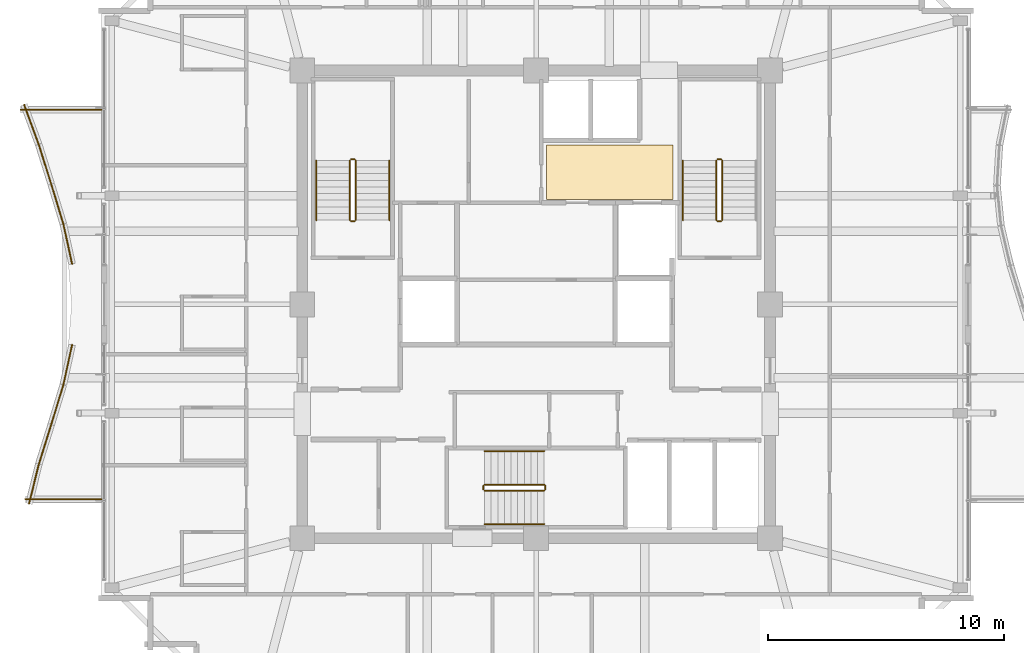
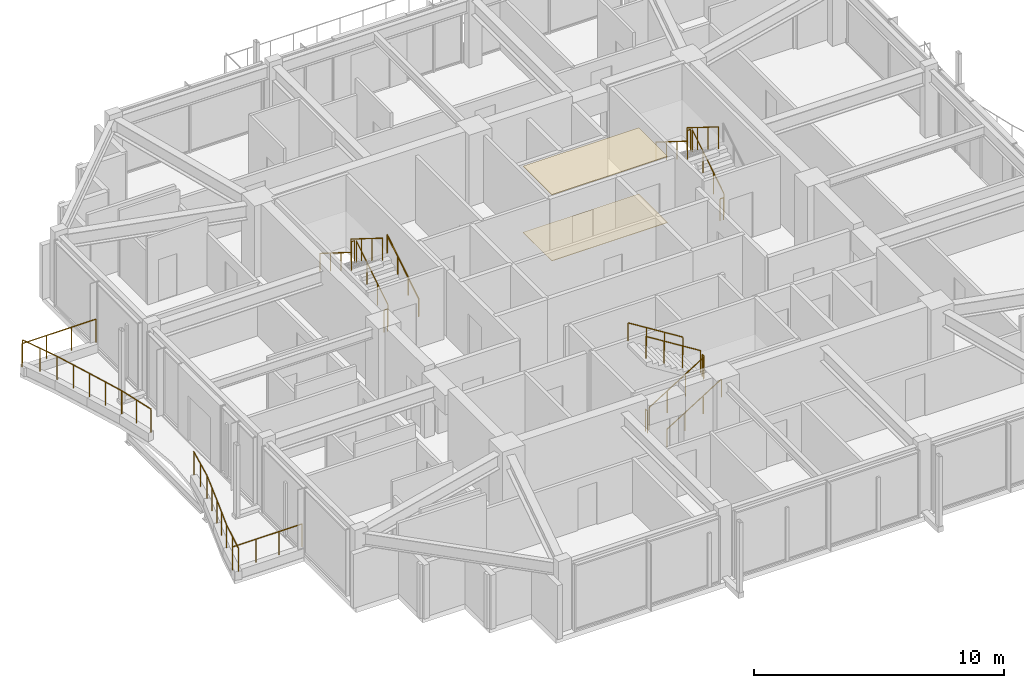
# One storey, part 30 of 31: 27 railings, 2 coverings.
"""IFC4 building model written with IfcOpenShell, lengths in metres."""

from ifc_helpers import new_model, si_unit, direction, frame, origin, origin_2d, place, context, subcontext, project, spatial, polyline, circle, outline, extrude, material, layer, layer_set, type_object, element, save


model = new_model("IFC4")

# Units and contexts
model_context = context("Model", 3, precision=1e-05, world=origin(), true_north=direction((0.0, 1.0)))
body_context = subcontext(model_context, "Body", "Model", "MODEL_VIEW")
ifc_project = project(units=[si_unit("LENGTHUNIT", "METRE"), si_unit("AREAUNIT", "SQUARE_METRE"), si_unit("VOLUMEUNIT", "CUBIC_METRE"), si_unit("PLANEANGLEUNIT", "RADIAN"), si_unit("MASSUNIT", "GRAM", prefix="KILO")], contexts=[model_context])

# Site, building, storey
site_placement = place(None, origin())
site = spatial("IfcSite", under=ifc_project, at=site_placement, CompositionType="ELEMENT")
building_placement = place(site_placement, origin())
building = spatial("IfcBuilding", under=site, at=building_placement, Name="Kolvaren Belvedere", CompositionType="ELEMENT")
storey_placement = place(building_placement, frame((0.0, 0.0, 251.39990234375)))
storey = spatial("IfcBuildingStorey", under=building, at=storey_placement, Name="L73", CompositionType="ELEMENT", Elevation=251.39990234375)

# Coverings
ifc_material_1 = material(Name="Acoustic perforated gypsum board", Category="gypsum")
ifc_layer_1 = layer(ifc_material_1, 0.02490234375)
ifc_layer_set_1 = layer_set([ifc_layer_1], Name="Acoustic perforated gypsum board")
covering_type_1 = type_object("IfcCoveringType", Name="COV-CEIL-GYP", PredefinedType="CEILING", material=ifc_layer_set_1)
covering_1_placement = place(storey_placement, frame((0.0, 0.0, 3.22509765625)))
element("IfcCovering", 1, at=covering_1_placement, inside=storey, type_object=covering_type_1, Name="L73 Lift Lobby Acoustic Baffle Ceiling", PredefinedType="CEILING", context=body_context, shape_type="SweptSolid", body=[
    extrude(outline(polyline([(0.449951171875, 4.449951171875), (5.800048828125, 4.449951171875), (5.800048828125, 6.75), (0.449951171875, 6.75), (0.449951171875, 4.449951171875)])), origin(), (0.0, 0.0, 1.0), 0.02490234375),
])
ifc_material_2 = material(Name="Engineered Pacific white oak", Category="timber")
ifc_layer_2 = layer(ifc_material_2, 0.02001953125)
ifc_layer_set_2 = layer_set([ifc_layer_2], Name="Engineered Pacific white oak")
covering_type_2 = type_object("IfcCoveringType", Name="COV-FLR-OAK", PredefinedType="FLOORING", material=ifc_layer_set_2)
covering_2_placement = place(storey_placement, origin())
element("IfcCovering", 2, at=covering_2_placement, inside=storey, type_object=covering_type_2, Name="L73 Lift Lobby Finish Flooring", PredefinedType="FLOORING", context=body_context, shape_type="SweptSolid", body=[
    extrude(outline(polyline([(0.449951171875, 4.449951171875), (5.800048828125, 4.449951171875), (5.800048828125, 6.75), (0.449951171875, 6.75), (0.449951171875, 4.449951171875)])), origin(), (0.0, 0.0, 1.0), 0.02001953125),
])

# Railings
ifc_material_3 = material(Name="Anodised pale-metal aluminium & laminated glass guard", Category="aluminium")
railing_type_1 = type_object("IfcRailingType", Name="RL-GUARD-1150", PredefinedType="GUARDRAIL", material=ifc_material_3)
railing_1_placement = place(storey_placement, frame((-21.669921875, 8.455322265625, 0.35009765625)))
element("IfcRailing", 3, at=railing_1_placement, inside=storey, type_object=railing_type_1, Name="L73 Exterior Deck Safety Guard BAL-W-1", PredefinedType="GUARDRAIL", context=body_context, shape_type="SweptSolid", body=[
    extrude(circle(Radius=0.02392578125, at=origin_2d()), frame((0.0, 0.0, 1.1259765625), z_axis=(0.346292864983, -0.938126458246, 0.0), x_axis=(0.938126458246, 0.346292864983, 0.0)), (0.0, 0.0, 1.0), 1.790771484375),
    extrude(circle(Radius=0.02099609375, at=origin_2d()), origin(), (0.0, 0.0, 1.0), 1.101806640625),
    extrude(circle(Radius=0.02099609375, at=origin_2d()), frame((0.31005859375, -0.83984375, 0.0)), (0.0, 0.0, 1.0), 1.101806640625),
    extrude(circle(Radius=0.02099609375, at=origin_2d()), frame((0.6201171875, -1.679931640625, 0.0)), (0.0, 0.0, 1.0), 1.101806640625),
])
railing_2_placement = place(storey_placement, frame((-21.047119140625, 6.767822265625, 0.35009765625)))
element("IfcRailing", 4, at=railing_2_placement, inside=storey, type_object=railing_type_1, Name="L73 Exterior Deck Safety Guard BAL-W-2", PredefinedType="GUARDRAIL", context=body_context, shape_type="SweptSolid", body=[
    extrude(circle(Radius=0.02392578125, at=origin_2d()), frame((0.0, 0.0, 1.1259765625), z_axis=(0.299624691176, -0.954057149461, 0.0), x_axis=(0.954057149461, 0.299624691176, 0.0)), (0.0, 0.0, 1.0), 1.7607421875),
    extrude(circle(Radius=0.02099609375, at=origin_2d()), origin(), (0.0, 0.0, 1.0), 1.101806640625),
    extrude(circle(Radius=0.02099609375, at=origin_2d()), frame((0.263671875, -0.83984375, 0.0)), (0.0, 0.0, 1.0), 1.101806640625),
    extrude(circle(Radius=0.02099609375, at=origin_2d()), frame((0.527587890625, -1.679931640625, 0.0)), (0.0, 0.0, 1.0), 1.101806640625),
])
railing_3_placement = place(storey_placement, frame((-20.51904296875, 5.086669921875, 0.35009765625)))
element("IfcRailing", 5, at=railing_3_placement, inside=storey, type_object=railing_type_1, Name="L73 Exterior Deck Safety Guard BAL-W-3", PredefinedType="GUARDRAIL", context=body_context, shape_type="SweptSolid", body=[
    extrude(circle(Radius=0.02392578125, at=origin_2d()), frame((0.0, 0.0, 1.1259765625), z_axis=(0.290840734999, -0.956771481005, 0.0), x_axis=(0.956771481005, 0.290840734999, 0.0)), (0.0, 0.0, 1.0), 1.756103515625),
    extrude(circle(Radius=0.02099609375, at=origin_2d()), origin(), (0.0, 0.0, 1.0), 1.101806640625),
    extrude(circle(Radius=0.02099609375, at=origin_2d()), frame((0.25537109375, -0.840087890625, 0.0)), (0.0, 0.0, 1.0), 1.101806640625),
    extrude(circle(Radius=0.02099609375, at=origin_2d()), frame((0.5107421875, -1.68017578125, 0.0)), (0.0, 0.0, 1.0), 1.101806640625),
])
railing_4_placement = place(storey_placement, frame((-20.0048828125, 3.394287109375, 0.35009765625)))
element("IfcRailing", 6, at=railing_4_placement, inside=storey, type_object=railing_type_1, Name="L73 Exterior Deck Safety Guard BAL-W-4", PredefinedType="GUARDRAIL", context=body_context, shape_type="SweptSolid", body=[
    extrude(circle(Radius=0.02392578125, at=origin_2d()), frame((0.0, 0.0, 1.1259765625), z_axis=(0.213773077423, -0.976883345835, 0.0), x_axis=(0.976883345835, 0.213773077423, 0.0)), (0.0, 0.0, 1.0), 1.719970703125),
    extrude(circle(Radius=0.02099609375, at=origin_2d()), origin(), (0.0, 0.0, 1.0), 1.101806640625),
    extrude(circle(Radius=0.02099609375, at=origin_2d()), frame((0.183837890625, -0.840087890625, 0.0)), (0.0, 0.0, 1.0), 1.101806640625),
    extrude(circle(Radius=0.02099609375, at=origin_2d()), frame((0.36767578125, -1.68017578125, 0.0)), (0.0, 0.0, 1.0), 1.101806640625),
])
railing_5_placement = place(storey_placement, frame((-19.63720703125, -1.714111328125, 0.35009765625)))
element("IfcRailing", 7, at=railing_5_placement, inside=storey, type_object=railing_type_1, Name="L73 Exterior Deck Safety Guard BAL-W-7", PredefinedType="GUARDRAIL", context=body_context, shape_type="SweptSolid", body=[
    extrude(circle(Radius=0.02392578125, at=origin_2d()), frame((0.0, 0.0, 1.1259765625), z_axis=(-0.213773077423, -0.976883345835, 0.0), x_axis=(0.976883345835, -0.213773077423, 0.0)), (0.0, 0.0, 1.0), 1.719970703125),
    extrude(circle(Radius=0.02099609375, at=origin_2d()), origin(), (0.0, 0.0, 1.0), 1.101806640625),
    extrude(circle(Radius=0.02099609375, at=origin_2d()), frame((-0.183837890625, -0.840087890625, 0.0)), (0.0, 0.0, 1.0), 1.101806640625),
    extrude(circle(Radius=0.02099609375, at=origin_2d()), frame((-0.36767578125, -1.68017578125, 0.0)), (0.0, 0.0, 1.0), 1.101806640625),
])
railing_6_placement = place(storey_placement, frame((-20.00830078125, -3.406494140625, 0.35009765625)))
element("IfcRailing", 8, at=railing_6_placement, inside=storey, type_object=railing_type_1, Name="L73 Exterior Deck Safety Guard BAL-W-8", PredefinedType="GUARDRAIL", context=body_context, shape_type="SweptSolid", body=[
    extrude(circle(Radius=0.02392578125, at=origin_2d()), frame((0.0, 0.0, 1.1259765625), z_axis=(-0.290840734999, -0.956771481005, 0.0), x_axis=(0.956771481005, -0.290840734999, 0.0)), (0.0, 0.0, 1.0), 1.756103515625),
    extrude(circle(Radius=0.02099609375, at=origin_2d()), origin(), (0.0, 0.0, 1.0), 1.101806640625),
    extrude(circle(Radius=0.02099609375, at=origin_2d()), frame((-0.25537109375, -0.840087890625, 0.0)), (0.0, 0.0, 1.0), 1.101806640625),
    extrude(circle(Radius=0.02099609375, at=origin_2d()), frame((-0.5107421875, -1.68017578125, 0.0)), (0.0, 0.0, 1.0), 1.101806640625),
])
railing_7_placement = place(storey_placement, frame((-20.51953125, -5.087890625, 0.35009765625)))
element("IfcRailing", 9, at=railing_7_placement, inside=storey, type_object=railing_type_1, Name="L73 Exterior Deck Safety Guard BAL-W-9", PredefinedType="GUARDRAIL", context=body_context, shape_type="SweptSolid", body=[
    extrude(circle(Radius=0.02392578125, at=origin_2d()), frame((0.0, 0.0, 1.1259765625), z_axis=(-0.299624691176, -0.954057149461, 0.0), x_axis=(0.954057149461, -0.299624691176, 0.0)), (0.0, 0.0, 1.0), 1.7607421875),
    extrude(circle(Radius=0.02099609375, at=origin_2d()), origin(), (0.0, 0.0, 1.0), 1.101806640625),
    extrude(circle(Radius=0.02099609375, at=origin_2d()), frame((-0.263671875, -0.83984375, 0.0)), (0.0, 0.0, 1.0), 1.101806640625),
    extrude(circle(Radius=0.02099609375, at=origin_2d()), frame((-0.527587890625, -1.679931640625, 0.0)), (0.0, 0.0, 1.0), 1.101806640625),
])
railing_8_placement = place(storey_placement, frame((-21.04443359375, -6.75830078125, 0.35009765625)))
element("IfcRailing", 10, at=railing_8_placement, inside=storey, type_object=railing_type_1, Name="L73 Exterior Deck Safety Guard BAL-W-10", PredefinedType="GUARDRAIL", context=body_context, shape_type="SweptSolid", body=[
    extrude(circle(Radius=0.02392578125, at=origin_2d()), frame((0.0, 0.0, 1.1259765625), z_axis=(-0.239180748277, -0.970975061293, 0.0), x_axis=(0.970975061293, -0.239180748277, 0.0)), (0.0, 0.0, 1.0), 1.730224609375),
    extrude(circle(Radius=0.02099609375, at=origin_2d()), origin(), (0.0, 0.0, 1.0), 1.101806640625),
    extrude(circle(Radius=0.02099609375, at=origin_2d()), frame((-0.20703125, -0.83984375, 0.0)), (0.0, 0.0, 1.0), 1.101806640625),
    extrude(circle(Radius=0.02099609375, at=origin_2d()), frame((-0.413818359375, -1.679931640625, 0.0)), (0.0, 0.0, 1.0), 1.101806640625),
])
railing_9_placement = place(storey_placement, frame((-21.61376953125, -8.239990234375, 0.35009765625)))
element("IfcRailing", 11, at=railing_9_placement, inside=storey, type_object=railing_type_1, Name="L73 Exterior Deck Safety Guard BAL-W-11", PredefinedType="GUARDRAIL", context=body_context, shape_type="SweptSolid", body=[
    extrude(circle(Radius=0.02392578125, at=origin_2d()), frame((0.0, 0.0, 1.1259765625), z_axis=(1.0, 0.0, 0.0), x_axis=(0.0, 1.0, 0.0)), (0.0, 0.0, 1.0), 3.2138671875),
    extrude(circle(Radius=0.02099609375, at=origin_2d()), origin(), (0.0, 0.0, 1.0), 1.101806640625),
    extrude(circle(Radius=0.02099609375, at=origin_2d()), frame((1.0712890625, 0.0, 0.0)), (0.0, 0.0, 1.0), 1.101806640625),
    extrude(circle(Radius=0.02099609375, at=origin_2d()), frame((2.142578125, 0.0, 0.0)), (0.0, 0.0, 1.0), 1.101806640625),
    extrude(circle(Radius=0.02099609375, at=origin_2d()), frame((3.2138671875, 0.0, 0.0)), (0.0, 0.0, 1.0), 1.101806640625),
])
railing_10_placement = place(storey_placement, frame((-18.39990234375, 8.239990234375, 0.35009765625)))
element("IfcRailing", 12, at=railing_10_placement, inside=storey, type_object=railing_type_1, Name="L73 Exterior Deck Safety Guard BAL-W-22", PredefinedType="GUARDRAIL", context=body_context, shape_type="SweptSolid", body=[
    extrude(circle(Radius=0.02392578125, at=origin_2d()), frame((0.0, 0.0, 1.1259765625), z_axis=(-1.0, 0.0, 0.0), x_axis=(0.0, -1.0, 0.0)), (0.0, 0.0, 1.0), 3.420166015625),
    extrude(circle(Radius=0.02099609375, at=origin_2d()), origin(), (0.0, 0.0, 1.0), 1.101806640625),
    extrude(circle(Radius=0.02099609375, at=origin_2d()), frame((-1.14013671875, 0.0, 0.0)), (0.0, 0.0, 1.0), 1.101806640625),
    extrude(circle(Radius=0.02099609375, at=origin_2d()), frame((-2.280029296875, 0.0, 0.0)), (0.0, 0.0, 1.0), 1.101806640625),
    extrude(circle(Radius=0.02099609375, at=origin_2d()), frame((-3.420166015625, 0.0, 0.0)), (0.0, 0.0, 1.0), 1.101806640625),
])
ifc_material_4 = material(Name="Brushed stainless-steel handrail", Category="steel")
railing_type_2 = type_object("IfcRailingType", Name="RL-HANDRAIL-920", PredefinedType="HANDRAIL", material=ifc_material_4)
railing_11_placement = place(storey_placement, frame((-6.2099609375, 3.570068359375, 0.175048828125)))
element("IfcRailing", 13, at=railing_11_placement, inside=storey, type_object=railing_type_2, Name="L73 ST-1 stair handrail 1", PredefinedType="HANDRAIL", context=body_context, shape_type="SweptSolid", body=[
    extrude(circle(Radius=0.02392578125, at=origin_2d()), frame((0.0, 0.0, 0.8759765625), z_axis=(0.0, 0.848007534815, 0.529984170421), x_axis=(-1.0, 0.0, 0.0)), (0.0, 0.0, 1.0), 2.9716796875),
    extrude(circle(Radius=0.02099609375, at=origin_2d()), origin(), (0.0, 0.0, 1.0), 0.851806640625),
    extrude(circle(Radius=0.02099609375, at=origin_2d()), frame((0.0, 0.840087890625, 0.52490234375)), (0.0, 0.0, 1.0), 0.851806640625),
    extrude(circle(Radius=0.02099609375, at=origin_2d()), frame((0.0, 1.679931640625, 1.050048828125)), (0.0, 0.0, 1.0), 0.851806640625),
    extrude(circle(Radius=0.02099609375, at=origin_2d()), frame((0.0, 2.52001953125, 1.574951171875)), (0.0, 0.0, 1.0), 0.851806640625),
])
for number, where, name in (
    (14, (-9.300048828125, 6.090087890625, 1.925048828125), "L73 ST-1 stair handrail 2"),
    (15, (6.2099609375, 6.090087890625, 1.925048828125), "L73 ST-2 stair handrail 2"),
):
    element("IfcRailing", number, at=place(storey_placement, frame(where)), inside=storey, type_object=railing_type_2, Name=name, PredefinedType="HANDRAIL", context=body_context, shape_type="SweptSolid", body=[
        extrude(circle(Radius=0.02392578125, at=origin_2d()), frame((0.0, 0.0, 0.8759765625), z_axis=(0.0, -0.848007534815, 0.529984170421), x_axis=(1.0, 0.0, 0.0)), (0.0, 0.0, 1.0), 2.9716796875),
        extrude(circle(Radius=0.02099609375, at=origin_2d()), origin(), (0.0, 0.0, 1.0), 0.851806640625),
        extrude(circle(Radius=0.02099609375, at=origin_2d()), frame((0.0, -0.840087890625, 0.52490234375)), (0.0, 0.0, 1.0), 0.851806640625),
        extrude(circle(Radius=0.02099609375, at=origin_2d()), frame((0.0, -1.679931640625, 1.050048828125)), (0.0, 0.0, 1.0), 0.851806640625),
        extrude(circle(Radius=0.02099609375, at=origin_2d()), frame((0.0, -2.52001953125, 1.574951171875)), (0.0, 0.0, 1.0), 0.851806640625),
    ])
railing_12_placement = place(storey_placement, frame((-2.179931640625, -9.300048828125, 0.175048828125)))
element("IfcRailing", 16, at=railing_12_placement, inside=storey, type_object=railing_type_2, Name="L73 ST-3 stair handrail 1", PredefinedType="HANDRAIL", context=body_context, shape_type="SweptSolid", body=[
    extrude(circle(Radius=0.02392578125, at=origin_2d()), frame((0.0, 0.0, 0.8759765625), z_axis=(0.848007534815, 0.0, 0.529984170421), x_axis=(0.0, 1.0, 0.0)), (0.0, 0.0, 1.0), 2.9716796875),
    extrude(circle(Radius=0.02099609375, at=origin_2d()), origin(), (0.0, 0.0, 1.0), 0.851806640625),
    extrude(circle(Radius=0.02099609375, at=origin_2d()), frame((0.840087890625, 0.0, 0.52490234375)), (0.0, 0.0, 1.0), 0.851806640625),
    extrude(circle(Radius=0.02099609375, at=origin_2d()), frame((1.679931640625, 0.0, 1.050048828125)), (0.0, 0.0, 1.0), 0.851806640625),
    extrude(circle(Radius=0.02099609375, at=origin_2d()), frame((2.52001953125, 0.0, 1.574951171875)), (0.0, 0.0, 1.0), 0.851806640625),
])
railing_13_placement = place(storey_placement, frame((0.340087890625, -6.2099609375, 1.925048828125)))
element("IfcRailing", 17, at=railing_13_placement, inside=storey, type_object=railing_type_2, Name="L73 ST-3 stair handrail 2", PredefinedType="HANDRAIL", context=body_context, shape_type="SweptSolid", body=[
    extrude(circle(Radius=0.02392578125, at=origin_2d()), frame((0.0, 0.0, 0.8759765625), z_axis=(-0.848007534815, 0.0, 0.529984170421), x_axis=(0.0, -1.0, 0.0)), (0.0, 0.0, 1.0), 2.9716796875),
    extrude(circle(Radius=0.02099609375, at=origin_2d()), origin(), (0.0, 0.0, 1.0), 0.851806640625),
    extrude(circle(Radius=0.02099609375, at=origin_2d()), frame((-0.840087890625, 0.0, 0.52490234375)), (0.0, 0.0, 1.0), 0.851806640625),
    extrude(circle(Radius=0.02099609375, at=origin_2d()), frame((-1.679931640625, 0.0, 1.050048828125)), (0.0, 0.0, 1.0), 0.851806640625),
    extrude(circle(Radius=0.02099609375, at=origin_2d()), frame((-2.52001953125, 0.0, 1.574951171875)), (0.0, 0.0, 1.0), 0.851806640625),
])
ifc_material_5 = material(Name="Painted tubular steel stair guard", Category="steel")
railing_type_3 = type_object("IfcRailingType", Name="RL-STGUARD-1100", PredefinedType="GUARDRAIL", material=ifc_material_5)
railing_14_placement = place(storey_placement, frame((-7.6298828125, 3.570068359375, 0.175048828125)))
element("IfcRailing", 18, at=railing_14_placement, inside=storey, type_object=railing_type_3, Name="L73 ST-1 stair guard 1", PredefinedType="GUARDRAIL", context=body_context, shape_type="SweptSolid", body=[
    extrude(circle(Radius=0.02392578125, at=origin_2d()), frame((0.0, 0.0, 1.076171875), z_axis=(0.0, 0.848007534815, 0.529984170421), x_axis=(-1.0, 0.0, 0.0)), (0.0, 0.0, 1.0), 2.9716796875),
    extrude(circle(Radius=0.02099609375, at=origin_2d()), origin(), (0.0, 0.0, 1.0), 1.052001953125),
    extrude(circle(Radius=0.02099609375, at=origin_2d()), frame((0.0, 0.840087890625, 0.52490234375)), (0.0, 0.0, 1.0), 1.052001953125),
    extrude(circle(Radius=0.02099609375, at=origin_2d()), frame((0.0, 1.679931640625, 1.050048828125)), (0.0, 0.0, 1.0), 1.052001953125),
    extrude(circle(Radius=0.02099609375, at=origin_2d()), frame((0.0, 2.52001953125, 1.574951171875)), (0.0, 0.0, 1.0), 1.052001953125),
])
railing_15_placement = place(storey_placement, frame((-7.679931640625, 6.139892578125, 1.75)))
element("IfcRailing", 19, at=railing_15_placement, inside=storey, type_object=railing_type_3, Name="L73 ST-1 stair guard 2", PredefinedType="GUARDRAIL", context=body_context, shape_type="SweptSolid", body=[
    extrude(circle(Radius=0.02392578125, at=origin_2d()), frame((0.0, 0.0, 1.076171875), z_axis=(-1.0, 0.0, 0.0), x_axis=(0.0, -1.0, 0.0)), (0.0, 0.0, 1.0), 0.150146484375),
    extrude(circle(Radius=0.02099609375, at=origin_2d()), origin(), (0.0, 0.0, 1.0), 1.052001953125),
    extrude(circle(Radius=0.02099609375, at=origin_2d()), frame((-0.150146484375, 0.0, 0.0)), (0.0, 0.0, 1.0), 1.052001953125),
])
railing_16_placement = place(storey_placement, frame((-7.8798828125, 6.090087890625, 1.925048828125)))
element("IfcRailing", 20, at=railing_16_placement, inside=storey, type_object=railing_type_3, Name="L73 ST-1 stair guard 3", PredefinedType="GUARDRAIL", context=body_context, shape_type="SweptSolid", body=[
    extrude(circle(Radius=0.02392578125, at=origin_2d()), frame((0.0, 0.0, 1.076171875), z_axis=(0.0, -0.848007534815, 0.529984170421), x_axis=(1.0, 0.0, 0.0)), (0.0, 0.0, 1.0), 2.9716796875),
    extrude(circle(Radius=0.02099609375, at=origin_2d()), origin(), (0.0, 0.0, 1.0), 1.052001953125),
    extrude(circle(Radius=0.02099609375, at=origin_2d()), frame((0.0, -0.840087890625, 0.52490234375)), (0.0, 0.0, 1.0), 1.052001953125),
    extrude(circle(Radius=0.02099609375, at=origin_2d()), frame((0.0, -1.679931640625, 1.050048828125)), (0.0, 0.0, 1.0), 1.052001953125),
    extrude(circle(Radius=0.02099609375, at=origin_2d()), frame((0.0, -2.52001953125, 1.574951171875)), (0.0, 0.0, 1.0), 1.052001953125),
])
railing_17_placement = place(storey_placement, frame((-7.679931640625, 3.52001953125, 0.0)))
element("IfcRailing", 21, at=railing_17_placement, inside=storey, type_object=railing_type_3, Name="L73 ST-1 stair guard 4", PredefinedType="GUARDRAIL", context=body_context, shape_type="SweptSolid", body=[
    extrude(circle(Radius=0.02392578125, at=origin_2d()), frame((0.0, 0.0, 1.076171875), z_axis=(-1.0, 0.0, 0.0), x_axis=(0.0, -1.0, 0.0)), (0.0, 0.0, 1.0), 0.150146484375),
    extrude(circle(Radius=0.02099609375, at=origin_2d()), origin(), (0.0, 0.0, 1.0), 1.052001953125),
    extrude(circle(Radius=0.02099609375, at=origin_2d()), frame((-0.150146484375, 0.0, 0.0)), (0.0, 0.0, 1.0), 1.052001953125),
])
railing_18_placement = place(storey_placement, frame((7.8798828125, 3.570068359375, 0.175048828125)))
element("IfcRailing", 22, at=railing_18_placement, inside=storey, type_object=railing_type_3, Name="L73 ST-2 stair guard 1", PredefinedType="GUARDRAIL", context=body_context, shape_type="SweptSolid", body=[
    extrude(circle(Radius=0.02392578125, at=origin_2d()), frame((0.0, 0.0, 1.076171875), z_axis=(0.0, 0.848007534815, 0.529984170421), x_axis=(-1.0, 0.0, 0.0)), (0.0, 0.0, 1.0), 2.9716796875),
    extrude(circle(Radius=0.02099609375, at=origin_2d()), origin(), (0.0, 0.0, 1.0), 1.052001953125),
    extrude(circle(Radius=0.02099609375, at=origin_2d()), frame((0.0, 0.840087890625, 0.52490234375)), (0.0, 0.0, 1.0), 1.052001953125),
    extrude(circle(Radius=0.02099609375, at=origin_2d()), frame((0.0, 1.679931640625, 1.050048828125)), (0.0, 0.0, 1.0), 1.052001953125),
    extrude(circle(Radius=0.02099609375, at=origin_2d()), frame((0.0, 2.52001953125, 1.574951171875)), (0.0, 0.0, 1.0), 1.052001953125),
])
railing_19_placement = place(storey_placement, frame((7.830078125, 6.139892578125, 1.75)))
element("IfcRailing", 23, at=railing_19_placement, inside=storey, type_object=railing_type_3, Name="L73 ST-2 stair guard 2", PredefinedType="GUARDRAIL", context=body_context, shape_type="SweptSolid", body=[
    extrude(circle(Radius=0.02392578125, at=origin_2d()), frame((0.0, 0.0, 1.076171875), z_axis=(-1.0, 0.0, 0.0), x_axis=(0.0, -1.0, 0.0)), (0.0, 0.0, 1.0), 0.150146484375),
    extrude(circle(Radius=0.02099609375, at=origin_2d()), origin(), (0.0, 0.0, 1.0), 1.052001953125),
    extrude(circle(Radius=0.02099609375, at=origin_2d()), frame((-0.150146484375, 0.0, 0.0)), (0.0, 0.0, 1.0), 1.052001953125),
])
railing_20_placement = place(storey_placement, frame((7.6298828125, 6.090087890625, 1.925048828125)))
element("IfcRailing", 24, at=railing_20_placement, inside=storey, type_object=railing_type_3, Name="L73 ST-2 stair guard 3", PredefinedType="GUARDRAIL", context=body_context, shape_type="SweptSolid", body=[
    extrude(circle(Radius=0.02392578125, at=origin_2d()), frame((0.0, 0.0, 1.076171875), z_axis=(0.0, -0.848007534815, 0.529984170421), x_axis=(1.0, 0.0, 0.0)), (0.0, 0.0, 1.0), 2.9716796875),
    extrude(circle(Radius=0.02099609375, at=origin_2d()), origin(), (0.0, 0.0, 1.0), 1.052001953125),
    extrude(circle(Radius=0.02099609375, at=origin_2d()), frame((0.0, -0.840087890625, 0.52490234375)), (0.0, 0.0, 1.0), 1.052001953125),
    extrude(circle(Radius=0.02099609375, at=origin_2d()), frame((0.0, -1.679931640625, 1.050048828125)), (0.0, 0.0, 1.0), 1.052001953125),
    extrude(circle(Radius=0.02099609375, at=origin_2d()), frame((0.0, -2.52001953125, 1.574951171875)), (0.0, 0.0, 1.0), 1.052001953125),
])
railing_21_placement = place(storey_placement, frame((7.830078125, 3.52001953125, 0.0)))
element("IfcRailing", 25, at=railing_21_placement, inside=storey, type_object=railing_type_3, Name="L73 ST-2 stair guard 4", PredefinedType="GUARDRAIL", context=body_context, shape_type="SweptSolid", body=[
    extrude(circle(Radius=0.02392578125, at=origin_2d()), frame((0.0, 0.0, 1.076171875), z_axis=(-1.0, 0.0, 0.0), x_axis=(0.0, -1.0, 0.0)), (0.0, 0.0, 1.0), 0.150146484375),
    extrude(circle(Radius=0.02099609375, at=origin_2d()), origin(), (0.0, 0.0, 1.0), 1.052001953125),
    extrude(circle(Radius=0.02099609375, at=origin_2d()), frame((-0.150146484375, 0.0, 0.0)), (0.0, 0.0, 1.0), 1.052001953125),
])
railing_22_placement = place(storey_placement, frame((-2.179931640625, -7.8798828125, 0.175048828125)))
element("IfcRailing", 26, at=railing_22_placement, inside=storey, type_object=railing_type_3, Name="L73 ST-3 stair guard 1", PredefinedType="GUARDRAIL", context=body_context, shape_type="SweptSolid", body=[
    extrude(circle(Radius=0.02392578125, at=origin_2d()), frame((0.0, 0.0, 1.076171875), z_axis=(0.848007534815, 0.0, 0.529984170421), x_axis=(0.0, 1.0, 0.0)), (0.0, 0.0, 1.0), 2.9716796875),
    extrude(circle(Radius=0.02099609375, at=origin_2d()), origin(), (0.0, 0.0, 1.0), 1.052001953125),
    extrude(circle(Radius=0.02099609375, at=origin_2d()), frame((0.840087890625, 0.0, 0.52490234375)), (0.0, 0.0, 1.0), 1.052001953125),
    extrude(circle(Radius=0.02099609375, at=origin_2d()), frame((1.679931640625, 0.0, 1.050048828125)), (0.0, 0.0, 1.0), 1.052001953125),
    extrude(circle(Radius=0.02099609375, at=origin_2d()), frame((2.52001953125, 0.0, 1.574951171875)), (0.0, 0.0, 1.0), 1.052001953125),
])
railing_23_placement = place(storey_placement, frame((0.389892578125, -7.830078125, 1.75)))
element("IfcRailing", 27, at=railing_23_placement, inside=storey, type_object=railing_type_3, Name="L73 ST-3 stair guard 2", PredefinedType="GUARDRAIL", context=body_context, shape_type="SweptSolid", body=[
    extrude(circle(Radius=0.02392578125, at=origin_2d()), frame((0.0, 0.0, 1.076171875), z_axis=(0.0, 1.0, 0.0), x_axis=(-1.0, 0.0, 0.0)), (0.0, 0.0, 1.0), 0.150146484375),
    extrude(circle(Radius=0.02099609375, at=origin_2d()), origin(), (0.0, 0.0, 1.0), 1.052001953125),
    extrude(circle(Radius=0.02099609375, at=origin_2d()), frame((0.0, 0.150146484375, 0.0)), (0.0, 0.0, 1.0), 1.052001953125),
])
railing_24_placement = place(storey_placement, frame((0.340087890625, -7.6298828125, 1.925048828125)))
element("IfcRailing", 28, at=railing_24_placement, inside=storey, type_object=railing_type_3, Name="L73 ST-3 stair guard 3", PredefinedType="GUARDRAIL", context=body_context, shape_type="SweptSolid", body=[
    extrude(circle(Radius=0.02392578125, at=origin_2d()), frame((0.0, 0.0, 1.076171875), z_axis=(-0.848007534815, 0.0, 0.529984170421), x_axis=(0.0, -1.0, 0.0)), (0.0, 0.0, 1.0), 2.9716796875),
    extrude(circle(Radius=0.02099609375, at=origin_2d()), origin(), (0.0, 0.0, 1.0), 1.052001953125),
    extrude(circle(Radius=0.02099609375, at=origin_2d()), frame((-0.840087890625, 0.0, 0.52490234375)), (0.0, 0.0, 1.0), 1.052001953125),
    extrude(circle(Radius=0.02099609375, at=origin_2d()), frame((-1.679931640625, 0.0, 1.050048828125)), (0.0, 0.0, 1.0), 1.052001953125),
    extrude(circle(Radius=0.02099609375, at=origin_2d()), frame((-2.52001953125, 0.0, 1.574951171875)), (0.0, 0.0, 1.0), 1.052001953125),
])
railing_25_placement = place(storey_placement, frame((-2.22998046875, -7.830078125, 0.0)))
element("IfcRailing", 29, at=railing_25_placement, inside=storey, type_object=railing_type_3, Name="L73 ST-3 stair guard 4", PredefinedType="GUARDRAIL", context=body_context, shape_type="SweptSolid", body=[
    extrude(circle(Radius=0.02392578125, at=origin_2d()), frame((0.0, 0.0, 1.076171875), z_axis=(0.0, 1.0, 0.0), x_axis=(-1.0, 0.0, 0.0)), (0.0, 0.0, 1.0), 0.150146484375),
    extrude(circle(Radius=0.02099609375, at=origin_2d()), origin(), (0.0, 0.0, 1.0), 1.052001953125),
    extrude(circle(Radius=0.02099609375, at=origin_2d()), frame((0.0, 0.150146484375, 0.0)), (0.0, 0.0, 1.0), 1.052001953125),
])

save(model, "model.ifc")
